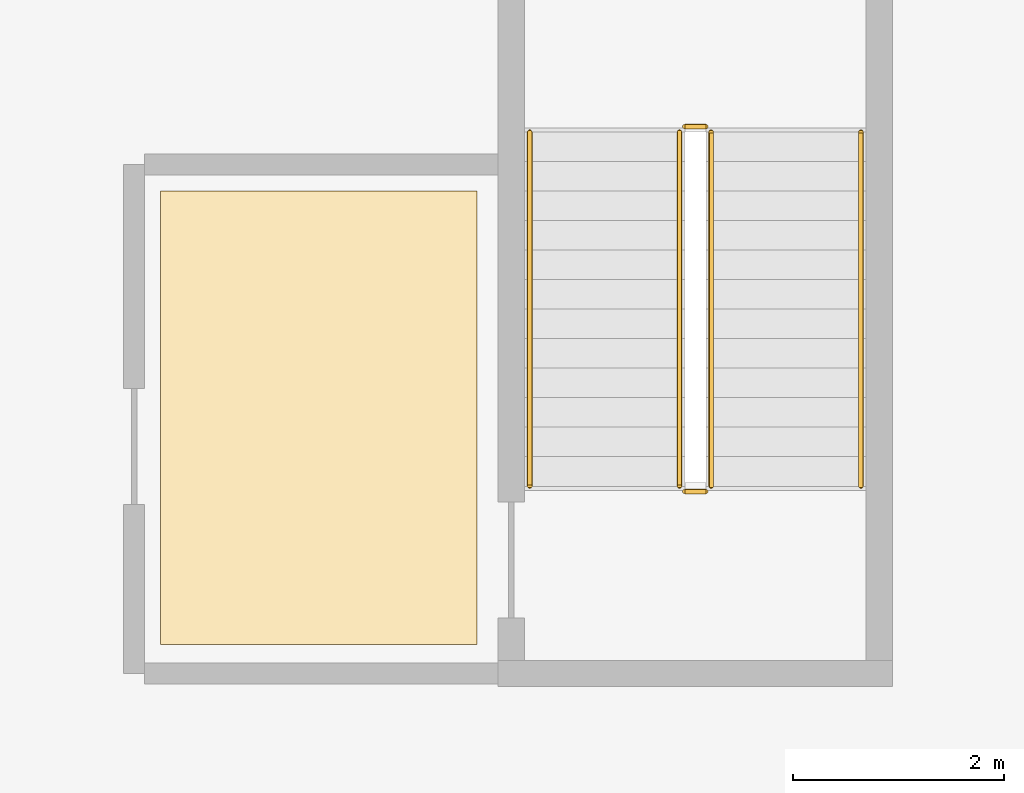
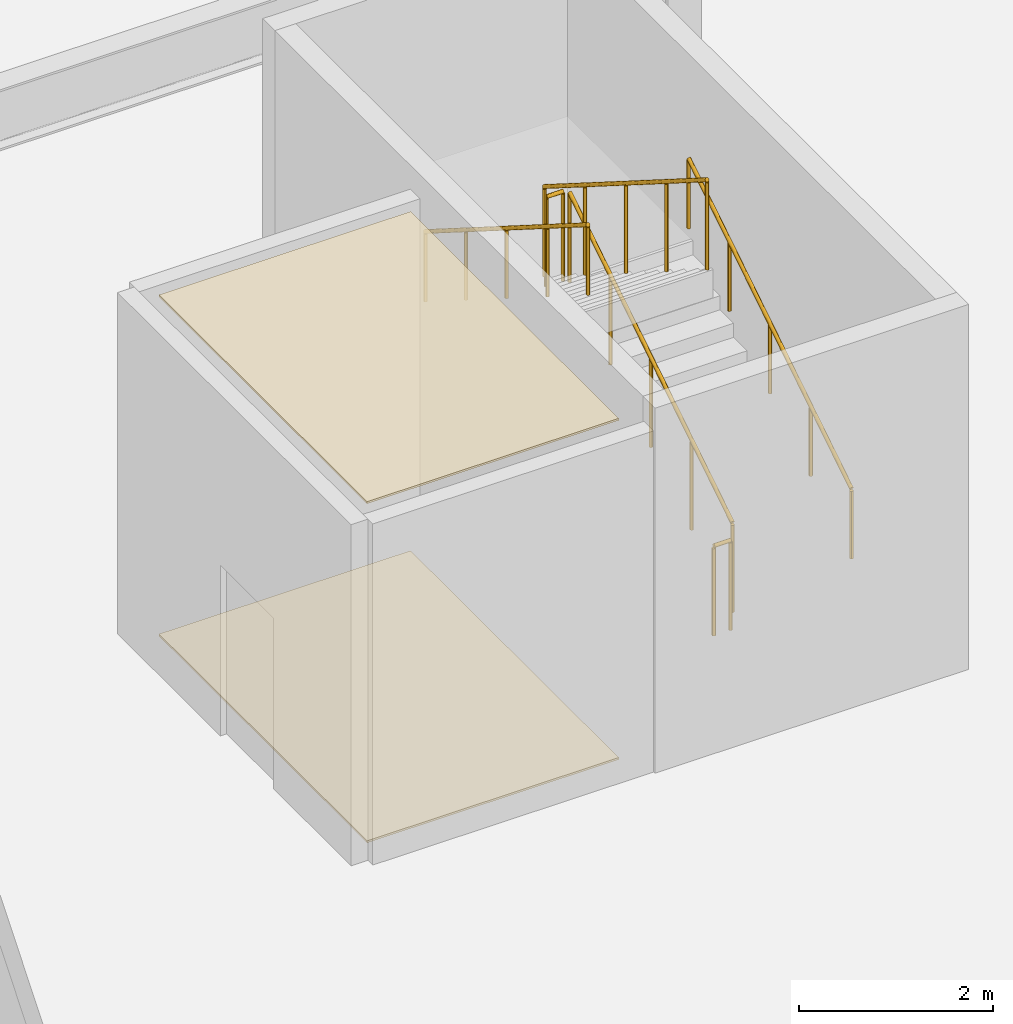
# One storey, part 36 of 45: 6 railings, 2 coverings.
"""IFC4 building model written with IfcOpenShell, lengths in metres."""

from ifc_helpers import new_model, si_unit, direction, frame, origin, origin_2d, place, context, subcontext, project, spatial, polyline, circle, outline, extrude, material, layer, layer_set, type_object, element, save


model = new_model("IFC4")

# Units and contexts
model_context = context("Model", 3, precision=1e-05, world=origin(), true_north=direction((0.0, 1.0)))
body_context = subcontext(model_context, "Body", "Model", "MODEL_VIEW")
ifc_project = project(units=[si_unit("LENGTHUNIT", "METRE"), si_unit("AREAUNIT", "SQUARE_METRE"), si_unit("VOLUMEUNIT", "CUBIC_METRE"), si_unit("PLANEANGLEUNIT", "RADIAN"), si_unit("MASSUNIT", "GRAM", prefix="KILO")], contexts=[model_context])

# Site, building, storey
site_placement = place(None, origin())
site = spatial("IfcSite", under=ifc_project, at=site_placement, CompositionType="ELEMENT")
building_placement = place(site_placement, origin())
building = spatial("IfcBuilding", under=site, at=building_placement, Name="Korimba Cascade Residences", CompositionType="ELEMENT")
storey_placement = place(building_placement, frame((0.0, 0.0, 5.39990234375)))
storey = spatial("IfcBuildingStorey", under=building, at=storey_placement, Name="L01", CompositionType="ELEMENT", Elevation=5.39990234375)

# Coverings
ifc_material_1 = material(Name="Perforated Acoustic Gypsum Ceiling", Category="gypsum")
ifc_layer_1 = layer(ifc_material_1, 0.02490234375)
ifc_layer_set_1 = layer_set([ifc_layer_1], Name="Perforated Acoustic Gypsum Ceiling")
covering_type_1 = type_object("IfcCoveringType", Name="COV-CLG-AC", PredefinedType="CEILING", material=ifc_layer_set_1)
covering_1_placement = place(storey_placement, frame((0.0, 0.0, 4.275146484375)))
element("IfcCovering", 1, at=covering_1_placement, inside=storey, type_object=covering_type_1, Name="L01 Suspended Acoustic Ceiling L01-PL6", PredefinedType="CEILING", context=body_context, shape_type="SweptSolid", body=[
    extrude(outline(polyline([(131.050048828125, -12.64990234375), (134.050048828125, -12.64990234375), (134.050048828125, -8.35009765625), (131.050048828125, -8.35009765625), (131.050048828125, -12.64990234375)])), origin(), (0.0, 0.0, 1.0), 0.02490234375),
])
ifc_material_2 = material(Name="Honed Travertine Stone Flooring", Category="masonry")
ifc_layer_2 = layer(ifc_material_2, 0.02490234375)
ifc_layer_set_2 = layer_set([ifc_layer_2], Name="Honed Travertine Stone Flooring")
covering_type_2 = type_object("IfcCoveringType", Name="COV-FLR-STN", PredefinedType="FLOORING", material=ifc_layer_set_2)
covering_2_placement = place(storey_placement, origin())
element("IfcCovering", 2, at=covering_2_placement, inside=storey, type_object=covering_type_2, Name="L01 Honed Travertine Stone Flooring L01-PL6", PredefinedType="FLOORING", context=body_context, shape_type="SweptSolid", body=[
    extrude(outline(polyline([(131.050048828125, -12.64990234375), (134.050048828125, -12.64990234375), (134.050048828125, -8.35009765625), (131.050048828125, -8.35009765625), (131.050048828125, -12.64990234375)])), origin(), (0.0, 0.0, 1.0), 0.025146484375),
])

# Railings
ifc_material_3 = material(Name="Painted Steel Stairwell Guardrail", Category="steel")
railing_type_1 = type_object("IfcRailingType", Name="RLG-ST-GD1150", PredefinedType="GUARDRAIL", material=ifc_material_3)
railing_1_placement = place(storey_placement, frame((136.27001953125, -11.14990234375, 0.177001953125)))
element("IfcRailing", 3, at=railing_1_placement, inside=storey, type_object=railing_type_1, Name="L01 ST-P6 stair guard 1", PredefinedType="GUARDRAIL", context=body_context, shape_type="SweptSolid", body=[
    extrude(circle(Radius=0.02392578125, at=origin_2d()), frame((0.0, 0.0, 1.1259765625), z_axis=(0.0, 0.845372108799, 0.534177870812), x_axis=(-1.0, 0.0, 0.0)), (0.0, 0.0, 1.0), 3.974365234375),
    extrude(circle(Radius=0.02099609375, at=origin_2d()), origin(), (0.0, 0.0, 1.0), 1.101806640625),
    extrude(circle(Radius=0.02099609375, at=origin_2d()), frame((0.0, 0.83984375, 0.53076171875)), (0.0, 0.0, 1.0), 1.101806640625),
    extrude(circle(Radius=0.02099609375, at=origin_2d()), frame((0.0, 1.679931640625, 1.0615234375)), (0.0, 0.0, 1.0), 1.101806640625),
    extrude(circle(Radius=0.02099609375, at=origin_2d()), frame((0.0, 2.52001953125, 1.59228515625)), (0.0, 0.0, 1.0), 1.101806640625),
    extrude(circle(Radius=0.02099609375, at=origin_2d()), frame((0.0, 3.35986328125, 2.123046875)), (0.0, 0.0, 1.0), 1.101806640625),
])
railing_2_placement = place(storey_placement, frame((136.219970703125, -7.739990234375, 2.300048828125)))
element("IfcRailing", 4, at=railing_2_placement, inside=storey, type_object=railing_type_1, Name="L01 ST-P6 stair guard 2", PredefinedType="GUARDRAIL", context=body_context, shape_type="SweptSolid", body=[
    extrude(circle(Radius=0.02392578125, at=origin_2d()), frame((0.0, 0.0, 1.1259765625), z_axis=(-1.0, 0.0, 0.0), x_axis=(0.0, -1.0, 0.0)), (0.0, 0.0, 1.0), 0.199951171875),
    extrude(circle(Radius=0.02099609375, at=origin_2d()), origin(), (0.0, 0.0, 1.0), 1.101806640625),
    extrude(circle(Radius=0.02099609375, at=origin_2d()), frame((-0.199951171875, 0.0, 0.0)), (0.0, 0.0, 1.0), 1.101806640625),
])
railing_3_placement = place(storey_placement, frame((135.969970703125, -7.7900390625, 2.47705078125)))
element("IfcRailing", 5, at=railing_3_placement, inside=storey, type_object=railing_type_1, Name="L01 ST-P6 stair guard 3", PredefinedType="GUARDRAIL", context=body_context, shape_type="SweptSolid", body=[
    extrude(circle(Radius=0.02392578125, at=origin_2d()), frame((0.0, 0.0, 1.1259765625), z_axis=(0.0, -0.845372108799, 0.534177870812), x_axis=(1.0, 0.0, 0.0)), (0.0, 0.0, 1.0), 3.974365234375),
    extrude(circle(Radius=0.02099609375, at=origin_2d()), origin(), (0.0, 0.0, 1.0), 1.101806640625),
    extrude(circle(Radius=0.02099609375, at=origin_2d()), frame((0.0, -0.83984375, 0.53076171875)), (0.0, 0.0, 1.0), 1.101806640625),
    extrude(circle(Radius=0.02099609375, at=origin_2d()), frame((0.0, -1.679931640625, 1.0615234375)), (0.0, 0.0, 1.0), 1.101806640625),
    extrude(circle(Radius=0.02099609375, at=origin_2d()), frame((0.0, -2.52001953125, 1.59228515625)), (0.0, 0.0, 1.0), 1.101806640625),
    extrude(circle(Radius=0.02099609375, at=origin_2d()), frame((0.0, -3.35986328125, 2.123046875)), (0.0, 0.0, 1.0), 1.101806640625),
])
railing_4_placement = place(storey_placement, frame((136.219970703125, -11.199951171875, 0.0)))
element("IfcRailing", 6, at=railing_4_placement, inside=storey, type_object=railing_type_1, Name="L01 ST-P6 stair guard 4", PredefinedType="GUARDRAIL", context=body_context, shape_type="SweptSolid", body=[
    extrude(circle(Radius=0.02392578125, at=origin_2d()), frame((0.0, 0.0, 1.1259765625), z_axis=(-1.0, 0.0, 0.0), x_axis=(0.0, -1.0, 0.0)), (0.0, 0.0, 1.0), 0.199951171875),
    extrude(circle(Radius=0.02099609375, at=origin_2d()), origin(), (0.0, 0.0, 1.0), 1.101806640625),
    extrude(circle(Radius=0.02099609375, at=origin_2d()), frame((-0.199951171875, 0.0, 0.0)), (0.0, 0.0, 1.0), 1.101806640625),
])
ifc_material_4 = material(Name="Brushed Stainless Steel Handrail", Category="steel")
railing_type_2 = type_object("IfcRailingType", Name="RLG-ST-HR900", PredefinedType="HANDRAIL", material=ifc_material_4)
railing_5_placement = place(storey_placement, frame((137.68994140625, -11.14990234375, 0.357666015625)))
element("IfcRailing", 7, at=railing_5_placement, inside=storey, type_object=railing_type_2, Name="L01 ST-P6 stair handrail 1", PredefinedType="HANDRAIL", context=body_context, shape_type="SweptSolid", body=[
    extrude(circle(Radius=0.02392578125, at=origin_2d()), frame((0.0, 0.0, 0.8759765625), z_axis=(0.0, 0.845372108799, 0.534177870812), x_axis=(-1.0, 0.0, 0.0)), (0.0, 0.0, 1.0), 3.974365234375),
    extrude(circle(Radius=0.02099609375, at=origin_2d()), origin(), (0.0, 0.0, 1.0), 0.851806640625),
    extrude(circle(Radius=0.02099609375, at=origin_2d()), frame((0.0, 0.83984375, 0.53076171875)), (0.0, 0.0, 1.0), 0.851806640625),
    extrude(circle(Radius=0.02099609375, at=origin_2d()), frame((0.0, 1.679931640625, 1.0615234375)), (0.0, 0.0, 1.0), 0.851806640625),
    extrude(circle(Radius=0.02099609375, at=origin_2d()), frame((0.0, 2.52001953125, 1.59228515625)), (0.0, 0.0, 1.0), 0.851806640625),
    extrude(circle(Radius=0.02099609375, at=origin_2d()), frame((0.0, 3.35986328125, 2.123046875)), (0.0, 0.0, 1.0), 0.851806640625),
])
railing_6_placement = place(storey_placement, frame((134.550048828125, -7.7900390625, 2.65771484375)))
element("IfcRailing", 8, at=railing_6_placement, inside=storey, type_object=railing_type_2, Name="L01 ST-P6 stair handrail 2", PredefinedType="HANDRAIL", context=body_context, shape_type="SweptSolid", body=[
    extrude(circle(Radius=0.02392578125, at=origin_2d()), frame((0.0, 0.0, 0.8759765625), z_axis=(0.0, -0.845372108799, 0.534177870812), x_axis=(1.0, 0.0, 0.0)), (0.0, 0.0, 1.0), 3.974365234375),
    extrude(circle(Radius=0.02099609375, at=origin_2d()), origin(), (0.0, 0.0, 1.0), 0.851806640625),
    extrude(circle(Radius=0.02099609375, at=origin_2d()), frame((0.0, -0.83984375, 0.53076171875)), (0.0, 0.0, 1.0), 0.851806640625),
    extrude(circle(Radius=0.02099609375, at=origin_2d()), frame((0.0, -1.679931640625, 1.0615234375)), (0.0, 0.0, 1.0), 0.851806640625),
    extrude(circle(Radius=0.02099609375, at=origin_2d()), frame((0.0, -2.52001953125, 1.59228515625)), (0.0, 0.0, 1.0), 0.851806640625),
    extrude(circle(Radius=0.02099609375, at=origin_2d()), frame((0.0, -3.35986328125, 2.123046875)), (0.0, 0.0, 1.0), 0.851806640625),
])

save(model, "model.ifc")
